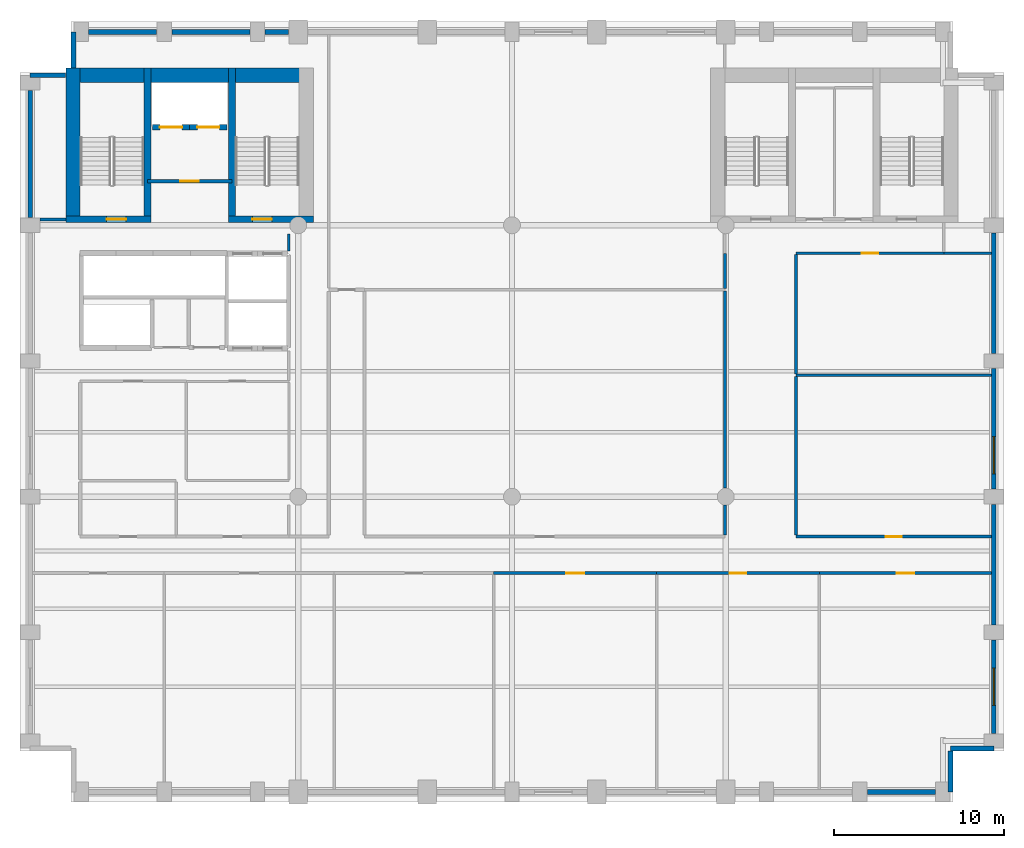
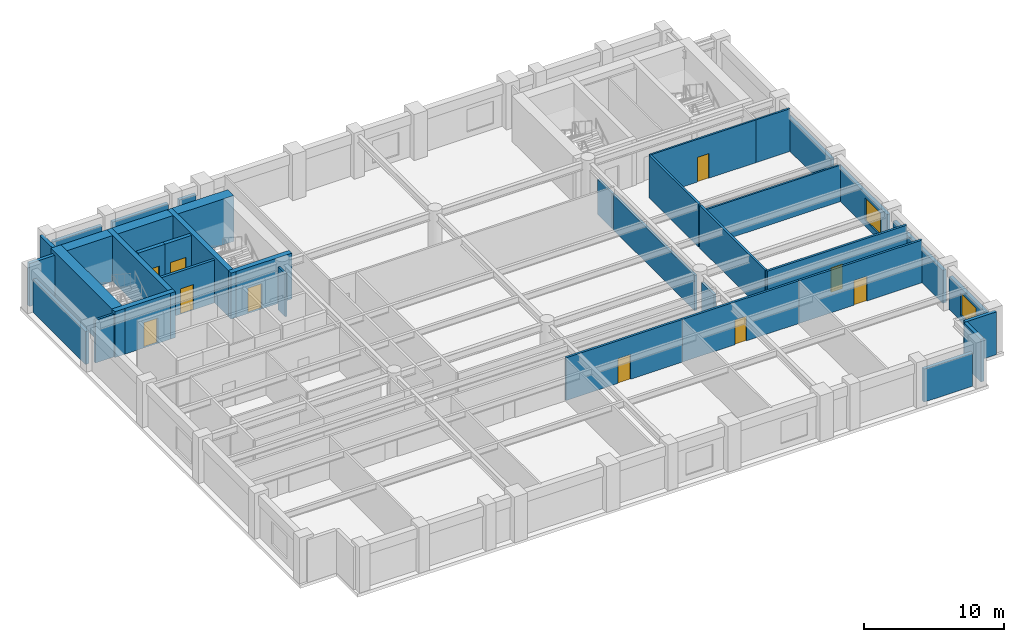
# One storey, part 4 of 8: 36 walls, 10 doors, 2 windows, 12 openings.
"""IFC4 building model written with IfcOpenShell, lengths in metres."""

import ifcopenshell
import ifcopenshell.guid

model = None  # the IFC model being written
_history = None  # IfcOwnerHistory: only IFC2X3 demands one
_inside = {}  # id of a spatial element -> (the spatial element, [elements in it])
_under = {}  # id of a project, library or spatial element -> (it, [spatial elements below it])
_declared = {}  # id of a project -> (the project, [libraries it declares])
_typed = {}  # id of a type object -> (the type object, [elements of that type])
_made_of = {}  # id of a material, layer set ... -> (it, [elements and type objects made of it])


def new_model(schema):
    """Start an empty IFC model of exactly this schema.

    Asked for "IFC4X3", IfcOpenShell would pick the latest addendum, in which some entities
    have other attributes; the version numbers below select the first issue.
    IFC2X3 requires an IfcOwnerHistory on every rooted entity: one is made here for all.
    """
    global model, _history
    if schema == "IFC4X3":
        model = ifcopenshell.file(schema_version=(4, 3, 0, 0))
    else:
        model = ifcopenshell.file(schema=schema)
    _inside.clear()
    _under.clear()
    _declared.clear()
    _typed.clear()
    _made_of.clear()
    _history = None
    if model.schema == "IFC2X3":
        org = make("IfcOrganization", Name="unknown")
        user = make(
            "IfcPersonAndOrganization",
            ThePerson=make("IfcPerson", FamilyName="unknown"),
            TheOrganization=org,
        )
        app = make(
            "IfcApplication",
            ApplicationDeveloper=org,
            Version="unknown",
            ApplicationFullName="unknown",
            ApplicationIdentifier="unknown",
        )
        _history = make(
            "IfcOwnerHistory",
            OwningUser=user,
            OwningApplication=app,
            ChangeAction="ADDED",
            CreationDate=0,
        )
    return model


def make(cls, **values):
    """One entity of the class cls with the attributes given. An attribute that is None is left unset."""
    return model.create_entity(
        cls, **{name: value for name, value in values.items() if value is not None}
    )


def rooted(cls, **values):
    """An entity with a GlobalId (a new one), such as an element, a storey or a relation."""
    return make(cls, GlobalId=ifcopenshell.guid.new(), OwnerHistory=_history, **values)


def si_unit(unit_type, name, prefix=None):
    """IfcSIUnit, for example si_unit("LENGTHUNIT", "METRE", prefix="MILLI")."""
    return make("IfcSIUnit", UnitType=unit_type, Prefix=prefix, Name=name)


def assignment(units):
    """IfcUnitAssignment: the units of a project."""
    return None if units is None else make("IfcUnitAssignment", Units=units)


def point(xyz):
    """IfcCartesianPoint."""
    return None if xyz is None else make("IfcCartesianPoint", Coordinates=xyz)


def direction(xyz):
    """IfcDirection."""
    return None if xyz is None else make("IfcDirection", DirectionRatios=xyz)


def frame(location, z_axis=None, x_axis=None):
    """IfcAxis2Placement3D, a coordinate frame: its origin and axes. An axis left out is left unset."""
    return make(
        "IfcAxis2Placement3D",
        Location=point(location),
        Axis=direction(z_axis),
        RefDirection=direction(x_axis),
    )


def frame_2d(location, x_axis=None):
    """IfcAxis2Placement2D, a coordinate frame in the plane: its origin and x axis."""
    return make(
        "IfcAxis2Placement2D", Location=point(location), RefDirection=direction(x_axis)
    )


def origin():
    """The frame at (0, 0, 0) with its axes left unset."""
    return frame((0.0, 0.0, 0.0))


def place(relative_to, where):
    """IfcLocalPlacement: puts the frame where relative to a parent placement (None: the world)."""
    return make(
        "IfcLocalPlacement", PlacementRelTo=relative_to, RelativePlacement=where
    )


def context(
    kind, dimensions, precision=None, world=None, true_north=None, identifier=None
):
    """IfcGeometricRepresentationContext, for example the 3D "Model" context."""
    return make(
        "IfcGeometricRepresentationContext",
        ContextIdentifier=identifier,
        ContextType=kind,
        CoordinateSpaceDimension=dimensions,
        Precision=precision,
        WorldCoordinateSystem=world,
        TrueNorth=true_north,
    )


def subcontext(parent, identifier, kind, view, scale=None):
    """IfcGeometricRepresentationSubContext, for example "Body" below "Model"."""
    return make(
        "IfcGeometricRepresentationSubContext",
        ContextIdentifier=identifier,
        ContextType=kind,
        ParentContext=parent,
        TargetScale=scale,
        TargetView=view,
    )


def project(units=None, contexts=None):
    """IfcProject with its units and contexts."""
    return rooted(
        "IfcProject",
        Name="project",
        RepresentationContexts=contexts,
        UnitsInContext=assignment(units),
    )


def spatial(cls, under=None, at=None, **own):
    """A site, building, storey or space (cls), placed at a placement, below another one or the project."""
    s = rooted(cls, ObjectPlacement=at, **own)
    if under is not None:
        _under.setdefault(under.id(), (under, []))[1].append(s)
    return s


def profile(cls, at=None, kind="AREA", **sizes):
    """A parametric profile (cls). Its sizes go by their IFC names, for example OverallWidth=200.0."""
    return make(cls, ProfileType=kind, Position=at, **sizes)


def rectangle(**sizes):
    """IfcRectangleProfileDef."""
    return profile("IfcRectangleProfileDef", **sizes)


def extrude(swept, where, along, depth):
    """IfcExtrudedAreaSolid: the profile swept, set in the frame where, extruded along a direction by depth."""
    return make(
        "IfcExtrudedAreaSolid",
        SweptArea=swept,
        Position=where,
        ExtrudedDirection=direction(along),
        Depth=depth,
    )


def shape(context_of_items, identifier, shape_type, items):
    """IfcShapeRepresentation: the items that make up one representation, for example the "Body"."""
    return make(
        "IfcShapeRepresentation",
        ContextOfItems=context_of_items,
        RepresentationIdentifier=identifier,
        RepresentationType=shape_type,
        Items=items,
    )


def material(Name=None, Category=None):
    """IfcMaterial."""
    return make("IfcMaterial", Name=Name, Category=Category)


def layer(
    of_material, thickness, ventilated=None, Name=None, Category=None, Priority=None
):
    """IfcMaterialLayer: one layer of a wall or slab, of a material (None: an air gap)."""
    return make(
        "IfcMaterialLayer",
        Material=of_material,
        LayerThickness=thickness,
        IsVentilated=ventilated,
        Name=Name,
        Category=Category,
        Priority=Priority,
    )


def layer_set(layers, Name=None):
    """IfcMaterialLayerSet."""
    return make("IfcMaterialLayerSet", MaterialLayers=layers, LayerSetName=Name)


def made_of(thing, what):
    """Note that an element or type object is made of a material, layer set ...; save() writes the relation."""
    if what is not None:
        _made_of.setdefault(what.id(), (what, []))[1].append(thing)
    return thing


def type_object(cls, material=None, **own):
    """A type object (cls), such as IfcWallType, which elements share."""
    return made_of(rooted(cls, **own), material)


def element(
    cls,
    number,
    at=None,
    inside=None,
    cuts=None,
    type_object=None,
    material=None,
    context=None,
    identifier="Body",
    shape_type=None,
    held_by="IfcProductDefinitionShape",
    body=None,
    shapes=None,
    **own,
):
    """One element of the class cls, such as IfcWall. Its Tag is "e" and its number.

    at: its placement. inside: the storey or other place that contains it. cuts: it is an
    opening in that element (IfcRelVoidsElement). A single representation is given by context,
    identifier, shape_type and body (its items); several are given by shapes. held_by: the class
    of the entity that holds the representations. save() writes the other relations.
    """
    e = rooted(cls, Tag="e%d" % number, ObjectPlacement=at, **own)
    if body is not None:
        shapes = [shape(context, identifier, shape_type, body)]
    if shapes is not None:
        e.Representation = make(held_by, Representations=shapes)
    if inside is not None:
        _inside.setdefault(inside.id(), (inside, []))[1].append(e)
    if cuts is not None:
        rooted(
            "IfcRelVoidsElement", RelatingBuildingElement=cuts, RelatedOpeningElement=e
        )
    if type_object is not None:
        _typed.setdefault(type_object.id(), (type_object, []))[1].append(e)
    return made_of(e, material)


def fill(opening, filler):
    """IfcRelFillsElement: the door or window that sits in an opening."""
    return rooted(
        "IfcRelFillsElement",
        RelatingOpeningElement=opening,
        RelatedBuildingElement=filler,
    )


def aggregate(whole, parts):
    """IfcRelAggregates: a whole, such as a stair, and the parts it consists of."""
    return rooted("IfcRelAggregates", RelatingObject=whole, RelatedObjects=parts)


def save(model, path):
    """Write the relations noted so far, then the file.

    IfcRelAggregates (storeys below a building ...), IfcRelContainedInSpatialStructure (elements
    in a storey), IfcRelDefinesByType, IfcRelAssociatesMaterial and IfcRelDeclares: one each for
    every whole, place, type object, material and project.
    """
    for whole, parts in _under.values():
        aggregate(whole, parts)
    for where, things in _inside.values():
        rooted(
            "IfcRelContainedInSpatialStructure",
            RelatedElements=things,
            RelatingStructure=where,
        )
    for kind, things in _typed.values():
        rooted("IfcRelDefinesByType", RelatedObjects=things, RelatingType=kind)
    for what, things in _made_of.values():
        rooted("IfcRelAssociatesMaterial", RelatedObjects=things, RelatingMaterial=what)
    for by, libraries in _declared.values():
        rooted("IfcRelDeclares", RelatingContext=by, RelatedDefinitions=libraries)
    model.write(path)


model = new_model("IFC4")

# Units and contexts
model_context = context("Model", 3, precision=1e-05, world=origin(), true_north=direction((0.0, 1.0)))
body_context = subcontext(model_context, "Body", "Model", "MODEL_VIEW")
ifc_project = project(units=[si_unit("LENGTHUNIT", "METRE"), si_unit("AREAUNIT", "SQUARE_METRE"), si_unit("VOLUMEUNIT", "CUBIC_METRE"), si_unit("PLANEANGLEUNIT", "RADIAN"), si_unit("MASSUNIT", "GRAM", prefix="KILO")], contexts=[model_context])

# Site, building, storey
site_placement = place(None, origin())
site = spatial("IfcSite", under=ifc_project, at=site_placement, CompositionType="ELEMENT")
building_placement = place(site_placement, origin())
building = spatial("IfcBuilding", under=site, at=building_placement, Name="Sulina Concourse Tower", CompositionType="ELEMENT")
storey_placement = place(building_placement, frame((0.0, 0.0, 100.60009765625)))
storey = spatial("IfcBuildingStorey", under=building, at=storey_placement, Name="L24", CompositionType="ELEMENT", Elevation=100.60009765625)

# Wall, opening, door
ifc_material_1 = material(Name="Concrete C50/60", Category="concrete")
ifc_layer_1 = layer(ifc_material_1, 0.300048828125)
ifc_layer_set_1 = layer_set([ifc_layer_1], Name="Concrete C50/60")
wall_type_1 = type_object("IfcWallType", Name="Core Lift Hoistway Wall 300mm", PredefinedType="SOLIDWALL", material=ifc_layer_set_1)
wall_1_placement = place(storey_placement, frame((10.0, 39.780029296875, 0.0), z_axis=(0.0, 0.0, 1.0), x_axis=(-1.0, 0.0, 0.0)))
wall_1 = element("IfcWall", 1, at=wall_1_placement, inside=storey, type_object=wall_type_1, Name="L24 hoistway enclosure wall FFL-1", PredefinedType="SOLIDWALL", context=body_context, shape_type="SweptSolid", body=[
    extrude(rectangle(XDim=2.199951171875, YDim=0.300048828125, at=frame_2d((1.10009765625, 0.0))), origin(), (0.0, 0.0, 1.0), 4.0),
])
opening_1_placement = place(wall_1_placement, frame((0.449951171875, 0.0, 0.0)))
opening_1 = element("IfcOpeningElement", 2, at=opening_1_placement, cuts=wall_1, Name="Opening LD-02", PredefinedType="OPENING", context=body_context, shape_type="SweptSolid", body=[
    extrude(rectangle(XDim=1.300048828125, YDim=2.25, at=frame_2d((0.64990234375, 1.125))), frame((0.0, 0.159912109375, 0.0), z_axis=(0.0, -1.0, 0.0), x_axis=(1.0, 0.0, 0.0)), (0.0, 0.0, 1.0), 0.320068359375),
])
ifc_material_2 = material(Name="Stainless steel lift landing door", Category="steel")
ifc_layer_2 = layer(ifc_material_2, 0.050048828125)
ifc_layer_set_2 = layer_set([ifc_layer_2], Name="Stainless steel lift landing door")
door_type_1 = type_object("IfcDoorType", Name="Firefighting Lift Sliding Landing Door 1300x2250", OperationType="SLIDING_TO_RIGHT", PredefinedType="DOOR", material=ifc_layer_set_2)
door_1_placement = place(opening_1_placement, origin())
door_1 = element("IfcDoor", 3, at=door_1_placement, inside=storey, type_object=door_type_1, Name="L24 lift landing sliding door FFL-1", OperationType="SLIDING_TO_LEFT", OverallHeight=2.25, OverallWidth=1.300048828125, PredefinedType="DOOR", context=body_context, shape_type="SweptSolid", body=[
    extrude(rectangle(XDim=1.300048828125, YDim=2.25, at=frame_2d((0.64990234375, 1.125))), frame((0.0, 0.02490234375, 0.0), z_axis=(0.0, -1.0, 0.0), x_axis=(1.0, 0.0, 0.0)), (0.0, 0.0, 1.0), 0.050048828125),
])
fill(opening_1, door_1)

wall_2_placement = place(storey_placement, frame((12.199951171875, 39.780029296875, 0.0), z_axis=(0.0, 0.0, 1.0), x_axis=(-1.0, 0.0, 0.0)))
wall_2 = element("IfcWall", 4, at=wall_2_placement, inside=storey, type_object=wall_type_1, Name="L24 hoistway enclosure wall FFL-2", PredefinedType="SOLIDWALL", context=body_context, shape_type="SweptSolid", body=[
    extrude(rectangle(XDim=2.199951171875, YDim=0.300048828125, at=frame_2d((1.10009765625, 0.0))), origin(), (0.0, 0.0, 1.0), 4.0),
])
opening_2_placement = place(wall_2_placement, frame((0.449951171875, 0.0, 0.0)))
opening_2 = element("IfcOpeningElement", 5, at=opening_2_placement, cuts=wall_2, Name="Opening LD-02", PredefinedType="OPENING", context=body_context, shape_type="SweptSolid", body=[
    extrude(rectangle(XDim=1.300048828125, YDim=2.25, at=frame_2d((0.64990234375, 1.125))), frame((0.0, 0.159912109375, 0.0), z_axis=(0.0, -1.0, 0.0), x_axis=(1.0, 0.0, 0.0)), (0.0, 0.0, 1.0), 0.320068359375),
])
door_2_placement = place(opening_2_placement, origin())
door_2 = element("IfcDoor", 6, at=door_2_placement, inside=storey, type_object=door_type_1, Name="L24 lift landing sliding door FFL-2", OperationType="SLIDING_TO_RIGHT", OverallHeight=2.25, OverallWidth=1.300048828125, PredefinedType="DOOR", context=body_context, shape_type="SweptSolid", body=[
    extrude(rectangle(XDim=1.300048828125, YDim=2.25, at=frame_2d((0.64990234375, 1.125))), frame((0.0, 0.02490234375, 0.0), z_axis=(0.0, -1.0, 0.0), x_axis=(1.0, 0.0, 0.0)), (0.0, 0.0, 1.0), 0.050048828125),
])
fill(opening_2, door_2)

ifc_material_3 = material(Name="Gypsum board on steel stud", Category="steel")
ifc_layer_3 = layer(ifc_material_3, 0.219970703125)
ifc_layer_set_3 = layer_set([ifc_layer_3], Name="Gypsum board on steel stud")
wall_type_2 = type_object("IfcWallType", Name="Fire-Rated Lobby & Compartment Wall 220mm", PredefinedType="PARTITIONING", material=ifc_layer_set_3)
wall_3_placement = place(storey_placement, frame((7.510009765625, 36.60009765625, 0.0), z_axis=(0.0, 0.0, 1.0), x_axis=(1.0, 0.0, 0.0)))
wall_3 = element("IfcWall", 7, at=wall_3_placement, inside=storey, type_object=wall_type_2, Name="L24 firefighting lobby south fire wall", PredefinedType="PARTITIONING", context=body_context, shape_type="SweptSolid", body=[
    extrude(rectangle(XDim=4.97998046875, YDim=0.219970703125, at=frame_2d((2.489990234375, 0.0))), origin(), (0.0, 0.0, 1.0), 3.724853515625),
])
opening_3_placement = place(wall_3_placement, frame((1.93994140625, 0.0, 0.0)))
opening_3 = element("IfcOpeningElement", 8, at=opening_3_placement, cuts=wall_3, Name="Opening DR-47", PredefinedType="OPENING", context=body_context, shape_type="SweptSolid", body=[
    extrude(rectangle(XDim=1.10009765625, YDim=2.199951171875, at=frame_2d((0.550048828125, 1.10009765625))), frame((0.0, 0.119873046875, 0.0), z_axis=(0.0, -1.0, 0.0), x_axis=(1.0, 0.0, 0.0)), (0.0, 0.0, 1.0), 0.239990234375),
])
ifc_material_4 = material(Name="Galvanised steel acoustic fire leaf", Category="steel")
ifc_layer_4 = layer(ifc_material_4, 0.054931640625)
ifc_layer_set_4 = layer_set([ifc_layer_4], Name="Galvanised steel acoustic fire leaf")
door_type_2 = type_object("IfcDoorType", Name="Firefighting Lobby Fire Door 1100x2200", OperationType="NOTDEFINED", PredefinedType="DOOR", material=ifc_layer_set_4)
door_3_placement = place(opening_3_placement, origin())
door_3 = element("IfcDoor", 9, at=door_3_placement, inside=storey, type_object=door_type_2, Name="L24 firefighting lobby fire door", OperationType="SINGLE_SWING_LEFT", OverallHeight=2.199951171875, OverallWidth=1.10009765625, PredefinedType="DOOR", context=body_context, shape_type="SweptSolid", body=[
    extrude(rectangle(XDim=1.10009765625, YDim=2.199951171875, at=frame_2d((0.550048828125, 1.10009765625))), frame((0.0, 0.02490234375, 0.0), z_axis=(0.0, -1.0, 0.0), x_axis=(1.0, 0.0, 0.0)), (0.0, 0.0, 1.0), 0.050048828125),
])
fill(opening_3, door_3)

# Wall
ifc_material_5 = material(Name="Gypsum board on steel stud", Category="steel")
ifc_layer_5 = layer(ifc_material_5, 0.14990234375)
ifc_layer_set_5 = layer_set([ifc_layer_5], Name="Gypsum board on steel stud")
wall_type_3 = type_object("IfcWallType", Name="Inter-Tenancy Acoustic Partition 150mm", PredefinedType="PARTITIONING", material=ifc_layer_set_5)
wall_4_placement = place(storey_placement, frame((45.75, 25.14990234375, 0.0), z_axis=(0.0, 0.0, 1.0), x_axis=(1.0, 0.0, 0.0)))
element("IfcWall", 10, at=wall_4_placement, inside=storey, type_object=wall_type_3, Name="L24 interior partition 016", PredefinedType="PARTITIONING", context=body_context, shape_type="SweptSolid", body=[
    extrude(rectangle(XDim=11.510009765625, YDim=0.14990234375, at=frame_2d((5.7548828125, 0.0))), origin(), (0.0, 0.0, 1.0), 3.169921875),
])

# Wall, opening, door
wall_5_placement = place(storey_placement, frame((45.75, 32.35009765625, 0.0), z_axis=(0.0, 0.0, 1.0), x_axis=(1.0, 0.0, 0.0)))
wall_5 = element("IfcWall", 11, at=wall_5_placement, inside=storey, type_object=wall_type_3, Name="L24 interior partition 021", PredefinedType="PARTITIONING", context=body_context, shape_type="SweptSolid", body=[
    extrude(rectangle(XDim=8.699951171875, YDim=0.14990234375, at=frame_2d((4.35009765625, 0.0))), origin(), (0.0, 0.0, 1.0), 3.724853515625),
])
opening_4_placement = place(wall_5_placement, frame((3.875, 0.0, 0.0)))
opening_4 = element("IfcOpeningElement", 12, at=opening_4_placement, cuts=wall_5, Name="Opening DR-19", PredefinedType="OPENING", context=body_context, shape_type="SweptSolid", body=[
    extrude(rectangle(XDim=0.949951171875, YDim=2.14990234375, at=frame_2d((0.47509765625, 1.074951171875))), frame((0.0, 0.0849609375, 0.0), z_axis=(0.0, -1.0, 0.0), x_axis=(1.0, 0.0, 0.0)), (0.0, 0.0, 1.0), 0.169921875),
])
ifc_material_6 = material(Name="Oak-veneered acoustic timber leaf", Category="wood")
ifc_layer_6 = layer(ifc_material_6, 0.050048828125)
ifc_layer_set_6 = layer_set([ifc_layer_6], Name="Oak-veneered acoustic timber leaf")
door_type_3 = type_object("IfcDoorType", Name="Cellular Office & Meeting Door 950x2150", OperationType="NOTDEFINED", PredefinedType="DOOR", material=ifc_layer_set_6)
door_4_placement = place(opening_4_placement, origin())
door_4 = element("IfcDoor", 13, at=door_4_placement, inside=storey, type_object=door_type_3, Name="L24 interior door L24-NE2", OperationType="SINGLE_SWING_RIGHT", OverallHeight=2.14990234375, OverallWidth=0.949951171875, PredefinedType="DOOR", context=body_context, shape_type="SweptSolid", body=[
    extrude(rectangle(XDim=0.949951171875, YDim=2.14990234375, at=frame_2d((0.47509765625, 1.074951171875))), frame((0.0, 0.02490234375, 0.0), z_axis=(0.0, -1.0, 0.0), x_axis=(1.0, 0.0, 0.0)), (0.0, 0.0, 1.0), 0.050048828125),
])
fill(opening_4, door_4)

# Walls
wall_6_placement = place(storey_placement, frame((54.449951171875, 32.35009765625, 0.0), z_axis=(0.0, 0.0, 1.0), x_axis=(1.0, 0.0, 0.0)))
element("IfcWall", 14, at=wall_6_placement, inside=storey, type_object=wall_type_3, Name="L24 interior partition 022", PredefinedType="PARTITIONING", context=body_context, shape_type="SweptSolid", body=[
    extrude(rectangle(XDim=2.81005859375, YDim=0.14990234375, at=frame_2d((1.405029296875, 0.0))), origin(), (0.0, 0.0, 1.0), 3.724853515625),
])
wall_7_placement = place(storey_placement, frame((15.85009765625, 32.469970703125, 0.0), z_axis=(0.0, 0.0, 1.0), x_axis=(0.0, 1.0, 0.0)))
element("IfcWall", 15, at=wall_7_placement, inside=storey, type_object=wall_type_3, Name="L24 interior partition 035", PredefinedType="PARTITIONING", context=body_context, shape_type="SweptSolid", body=[
    extrude(rectangle(XDim=1.030029296875, YDim=0.14990234375, at=frame_2d((0.51513671875, 0.0))), origin(), (0.0, 0.0, 1.0), 3.724853515625),
])

# Wall, opening, door
ifc_material_7 = material(Name="Gypsum board on steel stud", Category="steel")
ifc_layer_7 = layer(ifc_material_7, 0.179931640625)
ifc_layer_set_7 = layer_set([ifc_layer_7], Name="Gypsum board on steel stud")
wall_type_4 = type_object("IfcWallType", Name="Protected Corridor & Riser Partition 180mm", PredefinedType="PARTITIONING", material=ifc_layer_set_7)
wall_8_placement = place(storey_placement, frame((27.919921875, 13.5, 0.0), z_axis=(0.0, 0.0, 1.0), x_axis=(1.0, 0.0, 0.0)))
wall_8 = element("IfcWall", 16, at=wall_8_placement, inside=storey, type_object=wall_type_4, Name="L24 interior partition 004", PredefinedType="PARTITIONING", context=body_context, shape_type="SweptSolid", body=[
    extrude(rectangle(XDim=9.60009765625, YDim=0.179931640625, at=frame_2d((4.800048828125, 0.0))), origin(), (0.0, 0.0, 1.0), 3.724853515625),
])
opening_5_placement = place(wall_8_placement, frame((4.27490234375, 0.0, 0.0)))
opening_5 = element("IfcOpeningElement", 17, at=opening_5_placement, cuts=wall_8, Name="Opening DR-37", PredefinedType="OPENING", context=body_context, shape_type="SweptSolid", body=[
    extrude(rectangle(XDim=1.050048828125, YDim=2.14990234375, at=frame_2d((0.52490234375, 1.074951171875))), frame((0.0, 0.099853515625, 0.0), z_axis=(0.0, -1.0, 0.0), x_axis=(1.0, 0.0, 0.0)), (0.0, 0.0, 1.0), 0.199951171875),
])
ifc_material_8 = material(Name="Oak-veneered fire door leaf")
ifc_layer_8 = layer(ifc_material_8, 0.050048828125)
ifc_layer_set_8 = layer_set([ifc_layer_8], Name="Oak-veneered fire door leaf")
door_type_4 = type_object("IfcDoorType", Name="Tenant Suite Entrance Fire Door 1050x2150", OperationType="NOTDEFINED", PredefinedType="DOOR", material=ifc_layer_set_8)
door_5_placement = place(opening_5_placement, origin())
door_5 = element("IfcDoor", 18, at=door_5_placement, inside=storey, type_object=door_type_4, Name="L24 interior door L24-S04", OperationType="SINGLE_SWING_LEFT", OverallHeight=2.14990234375, OverallWidth=1.050048828125, PredefinedType="DOOR", context=body_context, shape_type="SweptSolid", body=[
    extrude(rectangle(XDim=1.050048828125, YDim=2.14990234375, at=frame_2d((0.52490234375, 1.074951171875))), frame((0.0, 0.02490234375, 0.0), z_axis=(0.0, -1.0, 0.0), x_axis=(1.0, 0.0, 0.0)), (0.0, 0.0, 1.0), 0.050048828125),
])
fill(opening_5, door_5)

wall_9_placement = place(storey_placement, frame((37.52001953125, 13.5, 0.0), z_axis=(0.0, 0.0, 1.0), x_axis=(1.0, 0.0, 0.0)))
wall_9 = element("IfcWall", 19, at=wall_9_placement, inside=storey, type_object=wall_type_4, Name="L24 interior partition 005", PredefinedType="PARTITIONING", context=body_context, shape_type="SweptSolid", body=[
    extrude(rectangle(XDim=9.60009765625, YDim=0.179931640625, at=frame_2d((4.800048828125, 0.0))), origin(), (0.0, 0.0, 1.0), 3.724853515625),
])
opening_6_placement = place(wall_9_placement, frame((4.324951171875, 0.0, 0.0)))
opening_6 = element("IfcOpeningElement", 20, at=opening_6_placement, cuts=wall_9, Name="Opening DR-19", PredefinedType="OPENING", context=body_context, shape_type="SweptSolid", body=[
    extrude(rectangle(XDim=0.949951171875, YDim=2.14990234375, at=frame_2d((0.47509765625, 1.074951171875))), frame((0.0, 0.099853515625, 0.0), z_axis=(0.0, -1.0, 0.0), x_axis=(1.0, 0.0, 0.0)), (0.0, 0.0, 1.0), 0.199951171875),
])
door_6_placement = place(opening_6_placement, origin())
door_6 = element("IfcDoor", 21, at=door_6_placement, inside=storey, type_object=door_type_3, Name="L24 interior door L24-S05", OperationType="SINGLE_SWING_RIGHT", OverallHeight=2.14990234375, OverallWidth=0.949951171875, PredefinedType="DOOR", context=body_context, shape_type="SweptSolid", body=[
    extrude(rectangle(XDim=0.949951171875, YDim=2.14990234375, at=frame_2d((0.47509765625, 1.074951171875))), frame((0.0, 0.02490234375, 0.0), z_axis=(0.0, -1.0, 0.0), x_axis=(1.0, 0.0, 0.0)), (0.0, 0.0, 1.0), 0.050048828125),
])
fill(opening_6, door_6)

wall_10_placement = place(storey_placement, frame((47.1201171875, 13.5, 0.0), z_axis=(0.0, 0.0, 1.0), x_axis=(1.0, 0.0, 0.0)))
wall_10 = element("IfcWall", 22, at=wall_10_placement, inside=storey, type_object=wall_type_4, Name="L24 interior partition 006", PredefinedType="PARTITIONING", context=body_context, shape_type="SweptSolid", body=[
    extrude(rectangle(XDim=10.139892578125, YDim=0.179931640625, at=frame_2d((5.06982421875, 0.0))), origin(), (0.0, 0.0, 1.0), 3.724853515625),
])
opening_7_placement = place(wall_10_placement, frame((4.544921875, 0.0, 0.0)))
opening_7 = element("IfcOpeningElement", 23, at=opening_7_placement, cuts=wall_10, Name="Opening DR-37", PredefinedType="OPENING", context=body_context, shape_type="SweptSolid", body=[
    extrude(rectangle(XDim=1.050048828125, YDim=2.14990234375, at=frame_2d((0.52490234375, 1.074951171875))), frame((0.0, 0.099853515625, 0.0), z_axis=(0.0, -1.0, 0.0), x_axis=(1.0, 0.0, 0.0)), (0.0, 0.0, 1.0), 0.199951171875),
])
door_7_placement = place(opening_7_placement, origin())
door_7 = element("IfcDoor", 24, at=door_7_placement, inside=storey, type_object=door_type_4, Name="L24 interior door L24-S06", OperationType="SINGLE_SWING_LEFT", OverallHeight=2.14990234375, OverallWidth=1.050048828125, PredefinedType="DOOR", context=body_context, shape_type="SweptSolid", body=[
    extrude(rectangle(XDim=1.050048828125, YDim=2.14990234375, at=frame_2d((0.52490234375, 1.074951171875))), frame((0.0, 0.02490234375, 0.0), z_axis=(0.0, -1.0, 0.0), x_axis=(1.0, 0.0, 0.0)), (0.0, 0.0, 1.0), 0.050048828125),
])
fill(opening_7, door_7)

wall_11_placement = place(storey_placement, frame((45.75, 15.64990234375, 0.0), z_axis=(0.0, 0.0, 1.0), x_axis=(1.0, 0.0, 0.0)))
wall_11 = element("IfcWall", 25, at=wall_11_placement, inside=storey, type_object=wall_type_4, Name="L24 interior partition 011", PredefinedType="PARTITIONING", context=body_context, shape_type="SweptSolid", body=[
    extrude(rectangle(XDim=11.510009765625, YDim=0.179931640625, at=frame_2d((5.7548828125, 0.0))), origin(), (0.0, 0.0, 1.0), 3.724853515625),
])
opening_8_placement = place(wall_11_placement, frame((5.280029296875, 0.0, 0.0)))
opening_8 = element("IfcOpeningElement", 26, at=opening_8_placement, cuts=wall_11, Name="Opening DR-19", PredefinedType="OPENING", context=body_context, shape_type="SweptSolid", body=[
    extrude(rectangle(XDim=0.949951171875, YDim=2.14990234375, at=frame_2d((0.47509765625, 1.074951171875))), frame((0.0, 0.099853515625, 0.0), z_axis=(0.0, -1.0, 0.0), x_axis=(1.0, 0.0, 0.0)), (0.0, 0.0, 1.0), 0.199951171875),
])
door_8_placement = place(opening_8_placement, origin())
door_8 = element("IfcDoor", 27, at=door_8_placement, inside=storey, type_object=door_type_3, Name="L24 interior door L24-NE1", OperationType="SINGLE_SWING_LEFT", OverallHeight=2.14990234375, OverallWidth=0.949951171875, PredefinedType="DOOR", context=body_context, shape_type="SweptSolid", body=[
    extrude(rectangle(XDim=0.949951171875, YDim=2.14990234375, at=frame_2d((0.47509765625, 1.074951171875))), frame((0.0, 0.02490234375, 0.0), z_axis=(0.0, -1.0, 0.0), x_axis=(1.0, 0.0, 0.0)), (0.0, 0.0, 1.0), 0.050048828125),
])
fill(opening_8, door_8)

# Walls
wall_12_placement = place(storey_placement, frame((1.175048828125, 34.35009765625, 0.0), z_axis=(0.0, 0.0, 1.0), x_axis=(1.0, 0.0, 0.0)))
element("IfcWall", 28, at=wall_12_placement, inside=storey, type_object=wall_type_4, Name="L24 interior partition 023", PredefinedType="PARTITIONING", context=body_context, shape_type="SweptSolid", body=[
    extrude(rectangle(XDim=1.52490234375, YDim=0.179931640625, at=frame_2d((0.762451171875, 0.0))), origin(), (0.0, 0.0, 1.0), 3.724853515625),
])
wall_13_placement = place(storey_placement, frame((41.550048828125, 15.739990234375, 0.0), z_axis=(0.0, 0.0, 1.0), x_axis=(0.0, 1.0, 0.0)))
element("IfcWall", 29, at=wall_13_placement, inside=storey, type_object=wall_type_4, Name="L24 interior partition 042", PredefinedType="PARTITIONING", context=body_context, shape_type="SweptSolid", body=[
    extrude(rectangle(XDim=1.760009765625, YDim=0.179931640625, at=frame_2d((0.8798828125, 0.0))), origin(), (0.0, 0.0, 1.0), 3.06982421875),
])
wall_14_placement = place(storey_placement, frame((41.550048828125, 18.5, 0.0), z_axis=(0.0, 0.0, 1.0), x_axis=(0.0, 1.0, 0.0)))
element("IfcWall", 30, at=wall_14_placement, inside=storey, type_object=wall_type_4, Name="L24 interior partition 043", PredefinedType="PARTITIONING", context=body_context, shape_type="SweptSolid", body=[
    extrude(rectangle(XDim=11.625, YDim=0.179931640625, at=frame_2d((5.8125, 0.0))), origin(), (0.0, 0.0, 1.0), 3.06982421875),
])
wall_15_placement = place(storey_placement, frame((41.550048828125, 30.27490234375, 0.0), z_axis=(0.0, 0.0, 1.0), x_axis=(0.0, 1.0, 0.0)))
element("IfcWall", 31, at=wall_15_placement, inside=storey, type_object=wall_type_4, Name="L24 interior partition 044", PredefinedType="PARTITIONING", context=body_context, shape_type="SweptSolid", body=[
    extrude(rectangle(XDim=2.0751953125, YDim=0.179931640625, at=frame_2d((1.03759765625, 0.0))), origin(), (0.0, 0.0, 1.0), 3.06982421875),
])
wall_16_placement = place(storey_placement, frame((45.75, 15.739990234375, 0.0), z_axis=(0.0, 0.0, 1.0), x_axis=(0.0, 1.0, 0.0)))
element("IfcWall", 32, at=wall_16_placement, inside=storey, type_object=wall_type_4, Name="L24 interior partition 047", PredefinedType="PARTITIONING", context=body_context, shape_type="SweptSolid", body=[
    extrude(rectangle(XDim=9.3349609375, YDim=0.179931640625, at=frame_2d((4.66748046875, 0.0))), origin(), (0.0, 0.0, 1.0), 3.724853515625),
])
wall_17_placement = place(storey_placement, frame((45.75, 25.22509765625, 0.0), z_axis=(0.0, 0.0, 1.0), x_axis=(0.0, 1.0, 0.0)))
element("IfcWall", 33, at=wall_17_placement, inside=storey, type_object=wall_type_4, Name="L24 interior partition 048", PredefinedType="PARTITIONING", context=body_context, shape_type="SweptSolid", body=[
    extrude(rectangle(XDim=7.0498046875, YDim=0.179931640625, at=frame_2d((3.52490234375, 0.0))), origin(), (0.0, 0.0, 1.0), 3.724853515625),
])

# Wall, opening, door
ifc_material_9 = material(Name="Concrete C60/75", Category="concrete")
ifc_layer_9 = layer(ifc_material_9, 0.39990234375)
ifc_layer_set_9 = layer_set([ifc_layer_9], Name="Concrete C60/75")
wall_type_5 = type_object("IfcWallType", Name="Protected Stair Core Shear Wall 400mm", PredefinedType="SHEAR", material=ifc_layer_set_9)
wall_18_placement = place(storey_placement, frame((2.699951171875, 34.35009765625, 0.0), z_axis=(0.0, 0.0, 1.0), x_axis=(1.0, 0.0, 0.0)))
wall_18 = element("IfcWall", 34, at=wall_18_placement, inside=storey, type_object=wall_type_5, Name="L24 west core shear wall CW-WS1", PredefinedType="SHEAR", context=body_context, shape_type="SweptSolid", body=[
    extrude(rectangle(XDim=5.010009765625, YDim=0.39990234375, at=frame_2d((2.5048828125, 0.0))), origin(), (0.0, 0.0, 1.0), 4.0),
])
opening_9_placement = place(wall_18_placement, frame((2.39990234375, 0.0, 0.0)))
opening_9 = element("IfcOpeningElement", 35, at=opening_9_placement, cuts=wall_18, Name="Opening DR-60", PredefinedType="OPENING", context=body_context, shape_type="SweptSolid", body=[
    extrude(rectangle(XDim=1.14990234375, YDim=2.199951171875, at=frame_2d((0.574951171875, 1.10009765625))), frame((0.0, 0.2099609375, 0.0), z_axis=(0.0, -1.0, 0.0), x_axis=(1.0, 0.0, 0.0)), (0.0, 0.0, 1.0), 0.419921875),
])
ifc_material_10 = material(Name="Galvanised steel acoustic fire leaf", Category="steel")
ifc_layer_10 = layer(ifc_material_10, 0.054931640625)
ifc_layer_set_10 = layer_set([ifc_layer_10], Name="Galvanised steel acoustic fire leaf")
door_type_5 = type_object("IfcDoorType", Name="Protected Exit Stair Fire Door 1150x2200", OperationType="NOTDEFINED", PredefinedType="DOOR", material=ifc_layer_set_10)
door_9_placement = place(opening_9_placement, origin())
door_9 = element("IfcDoor", 36, at=door_9_placement, inside=storey, type_object=door_type_5, Name="L24 stair ST-1 lobby fire door", OperationType="SINGLE_SWING_LEFT", OverallHeight=2.199951171875, OverallWidth=1.14990234375, PredefinedType="DOOR", context=body_context, shape_type="SweptSolid", body=[
    extrude(rectangle(XDim=1.14990234375, YDim=2.199951171875, at=frame_2d((0.574951171875, 1.10009765625))), frame((0.0, 0.02490234375, 0.0), z_axis=(0.0, -1.0, 0.0), x_axis=(1.0, 0.0, 0.0)), (0.0, 0.0, 1.0), 0.050048828125),
])
fill(opening_9, door_9)

wall_19_placement = place(storey_placement, frame((12.2900390625, 34.35009765625, 0.0), z_axis=(0.0, 0.0, 1.0), x_axis=(1.0, 0.0, 0.0)))
wall_19 = element("IfcWall", 37, at=wall_19_placement, inside=storey, type_object=wall_type_5, Name="L24 west core shear wall CW-WS2", PredefinedType="SHEAR", context=body_context, shape_type="SweptSolid", body=[
    extrude(rectangle(XDim=5.010009765625, YDim=0.39990234375, at=frame_2d((2.5048828125, 0.0))), origin(), (0.0, 0.0, 1.0), 4.0),
])
opening_10_placement = place(wall_19_placement, frame((1.39990234375, 0.0, 0.0)))
opening_10 = element("IfcOpeningElement", 38, at=opening_10_placement, cuts=wall_19, Name="Opening DR-60", PredefinedType="OPENING", context=body_context, shape_type="SweptSolid", body=[
    extrude(rectangle(XDim=1.14990234375, YDim=2.199951171875, at=frame_2d((0.574951171875, 1.10009765625))), frame((0.0, 0.2099609375, 0.0), z_axis=(0.0, -1.0, 0.0), x_axis=(1.0, 0.0, 0.0)), (0.0, 0.0, 1.0), 0.419921875),
])
door_10_placement = place(opening_10_placement, origin())
door_10 = element("IfcDoor", 39, at=door_10_placement, inside=storey, type_object=door_type_5, Name="L24 stair ST-2 lobby fire door", OperationType="SINGLE_SWING_RIGHT", OverallHeight=2.199951171875, OverallWidth=1.14990234375, PredefinedType="DOOR", context=body_context, shape_type="SweptSolid", body=[
    extrude(rectangle(XDim=1.14990234375, YDim=2.199951171875, at=frame_2d((0.574951171875, 1.10009765625))), frame((0.0, 0.02490234375, 0.0), z_axis=(0.0, -1.0, 0.0), x_axis=(1.0, 0.0, 0.0)), (0.0, 0.0, 1.0), 0.050048828125),
])
fill(opening_10, door_10)

# Walls
for number, where, z_axis, x_axis, name in (
    (40, (7.510009765625, 34.14990234375, 0.0), (0.0, 0.0, 1.0), (0.0, 1.0, 0.0), "L24 west core shear wall SW-ST1"),
    (41, (12.489990234375, 34.14990234375, 0.0), (0.0, 0.0, 1.0), (0.0, 1.0, 0.0), "L24 west core shear wall SW-ST2"),
):
    element("IfcWall", number, at=place(storey_placement, frame(where, z_axis=z_axis, x_axis=x_axis)), inside=storey, type_object=wall_type_5, Name=name, PredefinedType="SHEAR", context=body_context, shape_type="SweptSolid", body=[
        extrude(rectangle(XDim=9.130126953125, YDim=0.39990234375, at=frame_2d((4.56494140625, 0.0))), origin(), (0.0, 0.0, 1.0), 4.0),
    ])
ifc_material_11 = material(Name="Concrete C60/75", Category="concrete")
ifc_layer_11 = layer(ifc_material_11, 0.85009765625)
ifc_layer_set_11 = layer_set([ifc_layer_11], Name="Concrete C60/75")
wall_type_6 = type_object("IfcWallType", Name="Rear Core Shear Wall 850mm", PredefinedType="SHEAR", material=ifc_layer_set_11)
wall_20_placement = place(storey_placement, frame((2.699951171875, 42.85498046875, 0.0), z_axis=(0.0, 0.0, 1.0), x_axis=(1.0, 0.0, 0.0)))
element("IfcWall", 42, at=wall_20_placement, inside=storey, type_object=wall_type_6, Name="L24 west core shear wall CW-WN", PredefinedType="SHEAR", context=body_context, shape_type="SweptSolid", body=[
    extrude(rectangle(XDim=14.60009765625, YDim=0.85009765625, at=frame_2d((7.300048828125, 0.0))), origin(), (0.0, 0.0, 1.0), 4.0),
])
wall_21_placement = place(storey_placement, frame((3.125, 34.14990234375, 0.0), z_axis=(0.0, 0.0, 1.0), x_axis=(0.0, 1.0, 0.0)))
element("IfcWall", 43, at=wall_21_placement, inside=storey, type_object=wall_type_6, Name="L24 west core shear wall CW-WW", PredefinedType="SHEAR", context=body_context, shape_type="SweptSolid", body=[
    extrude(rectangle(XDim=9.130126953125, YDim=0.85009765625, at=frame_2d((4.56494140625, 0.0))), origin(), (0.0, 0.0, 1.0), 4.0),
])
ifc_material_12 = material(Name="Precast concrete C50/60", Category="concrete")
ifc_layer_12 = layer(ifc_material_12, 0.280029296875)
ifc_layer_set_12 = layer_set([ifc_layer_12], Name="Precast concrete C50/60")
wall_type_7 = type_object("IfcWallType", Name="Typical Precast Masonry-Frame Facade Wall 280mm", PredefinedType="SOLIDWALL", material=ifc_layer_set_12)
wall_22_placement = place(storey_placement, frame((53.955078125, 0.60009765625, 0.0), z_axis=(0.0, 0.0, 1.0), x_axis=(-1.0, 0.0, 0.0)))
element("IfcWall", 44, at=wall_22_placement, inside=storey, type_object=wall_type_7, Name="L24 exterior precast wall S10", PredefinedType="SOLIDWALL", context=body_context, shape_type="SweptSolid", body=[
    extrude(rectangle(XDim=4.010009765625, YDim=0.280029296875, at=frame_2d((2.0048828125, 0.0))), origin(), (0.0, 0.0, 1.0), 2.875),
])
wall_23_placement = place(storey_placement, frame((0.60009765625, 34.445068359375, 0.0), z_axis=(0.0, 0.0, 1.0), x_axis=(0.0, 1.0, 0.0)))
element("IfcWall", 45, at=wall_23_placement, inside=storey, type_object=wall_type_7, Name="L24 exterior precast wall W5", PredefinedType="SOLIDWALL", context=body_context, shape_type="SweptSolid", body=[
    extrude(rectangle(XDim=7.510009765625, YDim=0.280029296875, at=frame_2d((3.7548828125, 0.0))), origin(), (0.0, 0.0, 1.0), 2.875),
])
wall_24_placement = place(storey_placement, frame((4.044921875, 45.39990234375, 0.0), z_axis=(0.0, 0.0, 1.0), x_axis=(1.0, 0.0, 0.0)))
element("IfcWall", 46, at=wall_24_placement, inside=storey, type_object=wall_type_7, Name="L24 exterior precast wall N1", PredefinedType="SOLIDWALL", context=body_context, shape_type="SweptSolid", body=[
    extrude(rectangle(XDim=4.010009765625, YDim=0.280029296875, at=frame_2d((2.0048828125, 0.0))), origin(), (0.0, 0.0, 1.0), 2.875),
])
wall_25_placement = place(storey_placement, frame((8.945068359375, 45.39990234375, 0.0), z_axis=(0.0, 0.0, 1.0), x_axis=(1.0, 0.0, 0.0)))
element("IfcWall", 47, at=wall_25_placement, inside=storey, type_object=wall_type_7, Name="L24 exterior precast wall N2", PredefinedType="SOLIDWALL", context=body_context, shape_type="SweptSolid", body=[
    extrude(rectangle(XDim=4.60986328125, YDim=0.280029296875, at=frame_2d((2.304931640625, 0.0))), origin(), (0.0, 0.0, 1.0), 2.875),
])
wall_26_placement = place(storey_placement, frame((14.445068359375, 45.39990234375, 0.0), z_axis=(0.0, 0.0, 1.0), x_axis=(1.0, 0.0, 0.0)))
element("IfcWall", 48, at=wall_26_placement, inside=storey, type_object=wall_type_7, Name="L24 exterior precast wall N3", PredefinedType="SOLIDWALL", context=body_context, shape_type="SweptSolid", body=[
    extrude(rectangle(XDim=1.385009765625, YDim=0.280029296875, at=frame_2d((0.6923828125, 0.0))), origin(), (0.0, 0.0, 1.0), 2.875),
])

# Wall, opening, window
wall_27_placement = place(storey_placement, frame((57.39990234375, 9.554931640625, 0.0), z_axis=(0.0, 0.0, 1.0), x_axis=(0.0, -1.0, 0.0)))
wall_27 = element("IfcWall", 49, at=wall_27_placement, inside=storey, type_object=wall_type_7, Name="L24 exterior precast wall E1", PredefinedType="SOLIDWALL", context=body_context, shape_type="SweptSolid", body=[
    extrude(rectangle(XDim=5.510009765625, YDim=0.280029296875, at=frame_2d((2.7548828125, 0.0))), origin(), (0.0, 0.0, 1.0), 2.875),
])
opening_11_placement = place(wall_27_placement, frame((1.655029296875, 0.0, 0.5)))
opening_11 = element("IfcOpeningElement", 50, at=opening_11_placement, cuts=wall_27, Name="Opening WN-76", PredefinedType="OPENING", context=body_context, shape_type="SweptSolid", body=[
    extrude(rectangle(XDim=2.199951171875, YDim=1.949951171875, at=frame_2d((1.10009765625, 0.97509765625))), frame((0.0, 0.14990234375, 0.0), z_axis=(0.0, -1.0, 0.0), x_axis=(1.0, 0.0, 0.0)), (0.0, 0.0, 1.0), 0.300048828125),
])
ifc_material_13 = material(Name="Low-E solar double glazing in bronze aluminium", Category="aluminium")
window_type = type_object("IfcWindowType", Name="Recessed Spandrel Window 2200x1950", PartitioningType="DOUBLE_PANEL_VERTICAL", PredefinedType="WINDOW", material=ifc_material_13)
window_1_placement = place(opening_11_placement, origin())
window_1 = element("IfcWindow", 51, at=window_1_placement, inside=storey, type_object=window_type, Name="L24 punched window E1-1", OverallHeight=1.949951171875, OverallWidth=2.199951171875, PartitioningType="SINGLE_PANEL", PredefinedType="WINDOW", context=body_context, shape_type="SweptSolid", body=[
    extrude(rectangle(XDim=2.199951171875, YDim=1.949951171875, at=frame_2d((1.10009765625, 0.97509765625))), frame((0.0, 0.030029296875, 0.0), z_axis=(0.0, -1.0, 0.0), x_axis=(1.0, 0.0, 0.0)), (0.0, 0.0, 1.0), 0.06005859375),
])
fill(opening_11, window_1)

# Wall
wall_28_placement = place(storey_placement, frame((57.39990234375, 17.554931640625, 0.0), z_axis=(0.0, 0.0, 1.0), x_axis=(0.0, -1.0, 0.0)))
element("IfcWall", 52, at=wall_28_placement, inside=storey, type_object=wall_type_7, Name="L24 exterior precast wall E2", PredefinedType="SOLIDWALL", context=body_context, shape_type="SweptSolid", body=[
    extrude(rectangle(XDim=7.10986328125, YDim=0.280029296875, at=frame_2d((3.554931640625, 0.0))), origin(), (0.0, 0.0, 1.0), 2.875),
])

# Wall, opening, window
wall_29_placement = place(storey_placement, frame((57.39990234375, 25.554931640625, 0.0), z_axis=(0.0, 0.0, 1.0), x_axis=(0.0, -1.0, 0.0)))
wall_29 = element("IfcWall", 53, at=wall_29_placement, inside=storey, type_object=wall_type_7, Name="L24 exterior precast wall E3", PredefinedType="SOLIDWALL", context=body_context, shape_type="SweptSolid", body=[
    extrude(rectangle(XDim=7.10986328125, YDim=0.280029296875, at=frame_2d((3.554931640625, 0.0))), origin(), (0.0, 0.0, 1.0), 2.875),
])
opening_12_placement = place(wall_29_placement, frame((4.006591796875, 0.0, 0.5)))
opening_12 = element("IfcOpeningElement", 54, at=opening_12_placement, cuts=wall_29, Name="Opening WN-76", PredefinedType="OPENING", context=body_context, shape_type="SweptSolid", body=[
    extrude(rectangle(XDim=2.199951171875, YDim=1.949951171875, at=frame_2d((1.10009765625, 0.97509765625))), frame((0.0, 0.14990234375, 0.0), z_axis=(0.0, -1.0, 0.0), x_axis=(1.0, 0.0, 0.0)), (0.0, 0.0, 1.0), 0.300048828125),
])
window_2_placement = place(opening_12_placement, origin())
window_2 = element("IfcWindow", 55, at=window_2_placement, inside=storey, type_object=window_type, Name="L24 punched window E3-1", OverallHeight=1.949951171875, OverallWidth=2.199951171875, PartitioningType="SINGLE_PANEL", PredefinedType="WINDOW", context=body_context, shape_type="SweptSolid", body=[
    extrude(rectangle(XDim=2.199951171875, YDim=1.949951171875, at=frame_2d((1.10009765625, 0.97509765625))), frame((0.0, 0.030029296875, 0.0), z_axis=(0.0, -1.0, 0.0), x_axis=(1.0, 0.0, 0.0)), (0.0, 0.0, 1.0), 0.06005859375),
])
fill(opening_12, window_2)

# Walls
wall_30_placement = place(storey_placement, frame((57.39990234375, 33.554931640625, 0.0), z_axis=(0.0, 0.0, 1.0), x_axis=(0.0, -1.0, 0.0)))
element("IfcWall", 56, at=wall_30_placement, inside=storey, type_object=wall_type_7, Name="L24 exterior precast wall E4", PredefinedType="SOLIDWALL", context=body_context, shape_type="SweptSolid", body=[
    extrude(rectangle(XDim=7.10986328125, YDim=0.280029296875, at=frame_2d((3.554931640625, 0.0))), origin(), (0.0, 0.0, 1.0), 2.875),
])
wall_31_placement = place(storey_placement, frame((0.60009765625, 42.844970703125, 0.0), z_axis=(0.0, 0.0, 1.0), x_axis=(1.0, 0.0, 0.0)))
element("IfcWall", 57, at=wall_31_placement, inside=storey, type_object=wall_type_7, Name="L24 exterior precast wall CNW1", PredefinedType="SOLIDWALL", context=body_context, shape_type="SweptSolid", body=[
    extrude(rectangle(XDim=2.094970703125, YDim=0.280029296875, at=frame_2d((1.04736328125, 0.0))), origin(), (0.0, 0.0, 1.0), 3.724853515625),
])
wall_32_placement = place(storey_placement, frame((3.155029296875, 43.284912109375, 0.0), z_axis=(0.0, 0.0, 1.0), x_axis=(0.0, 1.0, 0.0)))
element("IfcWall", 58, at=wall_32_placement, inside=storey, type_object=wall_type_7, Name="L24 exterior precast wall CNW2", PredefinedType="SOLIDWALL", context=body_context, shape_type="SweptSolid", body=[
    extrude(rectangle(XDim=2.114990234375, YDim=0.280029296875, at=frame_2d((1.0576171875, 0.0))), origin(), (0.0, 0.0, 1.0), 3.724853515625),
])
wall_33_placement = place(storey_placement, frame((57.39990234375, 3.155029296875, 0.0), z_axis=(0.0, 0.0, 1.0), x_axis=(-1.0, 0.0, 0.0)))
element("IfcWall", 59, at=wall_33_placement, inside=storey, type_object=wall_type_7, Name="L24 exterior precast wall CSE1", PredefinedType="SOLIDWALL", context=body_context, shape_type="SweptSolid", body=[
    extrude(rectangle(XDim=2.554931640625, YDim=0.280029296875, at=frame_2d((1.27734375, 0.0))), origin(), (0.0, 0.0, 1.0), 3.724853515625),
])
wall_34_placement = place(storey_placement, frame((54.844970703125, 3.010009765625, 0.0), z_axis=(0.0, 0.0, 1.0), x_axis=(0.0, -1.0, 0.0)))
element("IfcWall", 60, at=wall_34_placement, inside=storey, type_object=wall_type_7, Name="L24 exterior precast wall CSE2", PredefinedType="SOLIDWALL", context=body_context, shape_type="SweptSolid", body=[
    extrude(rectangle(XDim=2.409912109375, YDim=0.280029296875, at=frame_2d((1.205078125, 0.0))), origin(), (0.0, 0.0, 1.0), 3.724853515625),
])

save(model, "model.ifc")
